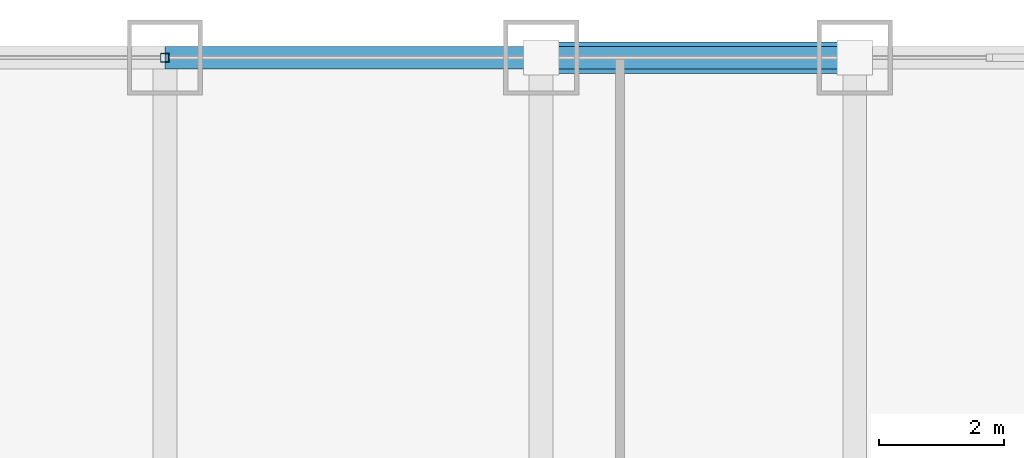
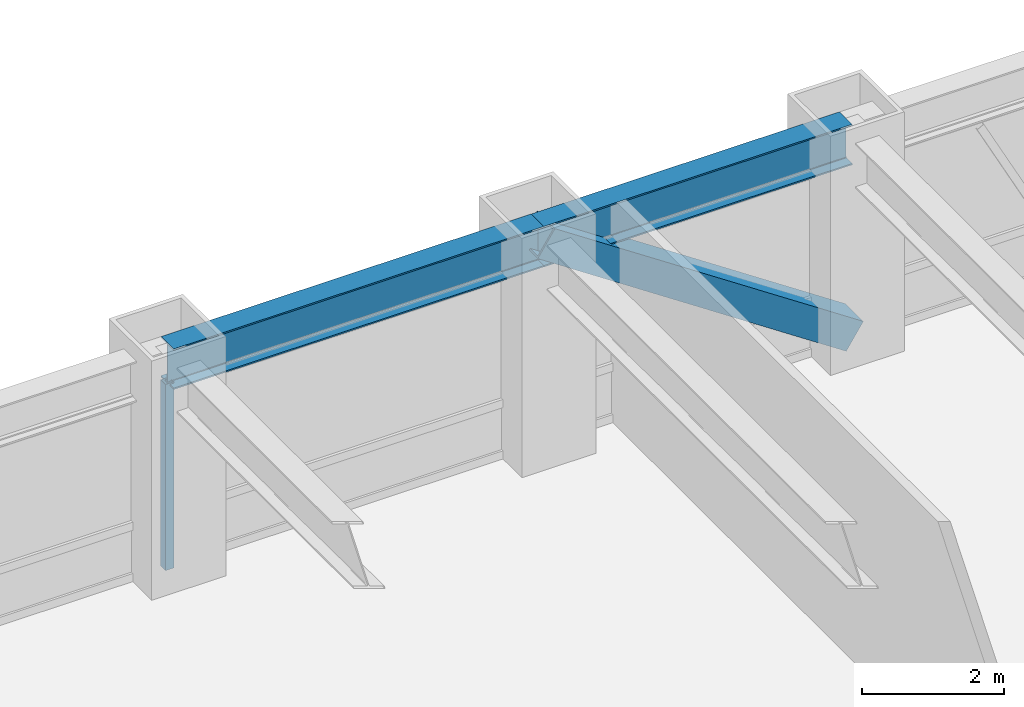
# One storey, part 19 of 28: 2 beams, 2 members, 1 element without a shape of its own.
"""IFC4 building model written with IfcOpenShell, lengths in metres."""

from ifc_helpers import new_model, si_unit, direction, frame, origin, origin_2d, place, context, subcontext, project, spatial, hollow_rectangle, i_section, extrude, source, transform, mapped, material, material_profile, profile_set, type_object, element, aggregate, save


model = new_model("IFC4")

# Units and contexts
model_context = context("Model", 3, precision=1e-05, world=origin(), true_north=direction((0.0, 1.0)))
body_context = subcontext(model_context, "Body", "Model", "MODEL_VIEW")
ifc_project = project(units=[si_unit("LENGTHUNIT", "METRE"), si_unit("AREAUNIT", "SQUARE_METRE"), si_unit("VOLUMEUNIT", "CUBIC_METRE"), si_unit("PLANEANGLEUNIT", "RADIAN"), si_unit("MASSUNIT", "GRAM", prefix="KILO")], contexts=[model_context])

# Site, building, storey
site_placement = place(None, origin())
site = spatial("IfcSite", under=ifc_project, at=site_placement, CompositionType="ELEMENT")
building_placement = place(site_placement, origin())
building = spatial("IfcBuilding", under=site, at=building_placement, Name="Khorayat Bourse Tower", CompositionType="ELEMENT")
storey_placement = place(building_placement, frame((0.0, 0.0, 124.199951171875)))
storey = spatial("IfcBuildingStorey", under=building, at=storey_placement, Name="L28", CompositionType="ELEMENT", Elevation=124.199951171875)

# Beams
ifc_material_1 = material(Name="Steel ASTM A992 Grade 50", Category="steel")
ifc_material_profile_1 = material_profile(ifc_material_1, i_section(OverallWidth=0.35498046875, OverallDepth=0.695068359375, WebThickness=0.015380859375, FlangeThickness=0.02490234375, FilletRadius=0.01806640625, at=origin_2d()), Name="W690X217")
ifc_profile_set_1 = profile_set([ifc_material_profile_1], Name="Steel ASTM A992 Grade 50")
beam_type = type_object("IfcBeamType", Name="BM-SPAN-690", PredefinedType="SPANDREL", material=ifc_profile_set_1)
shared_shape_1 = source(origin(), body_context, "Body", "SweptSolid", [
    extrude(i_section(OverallWidth=0.35498046875, OverallDepth=0.695068359375, WebThickness=0.015380859375, FlangeThickness=0.02490234375, FilletRadius=0.01806640625, at=origin_2d()), origin(), (0.0, 0.0, 1.0), 5.0),
])
beam_1_placement = place(storey_placement, frame((6.0, 32.0, 3.492431640625), z_axis=(1.0, 0.0, 0.0), x_axis=(0.0, 1.0, 0.0)))
element("IfcBeam", 1, at=beam_1_placement, inside=storey, type_object=beam_type, Name="L28 BM-SPAN-690 BM-L28-SPN-046", PredefinedType="SPANDREL", context=body_context, shape_type="MappedRepresentation", body=[
    mapped(shared_shape_1, transform((0.0, 0.0, 0.0), scale=1.0)),
])
shared_shape_2 = source(origin(), body_context, "Body", "SweptSolid", [
    extrude(i_section(OverallWidth=0.35498046875, OverallDepth=0.695068359375, WebThickness=0.015380859375, FlangeThickness=0.02490234375, FilletRadius=0.01806640625, at=origin_2d()), origin(), (0.0, 0.0, 1.0), 6.0),
])
beam_2_placement = place(storey_placement, frame((0.0, 32.0, 3.492431640625), z_axis=(1.0, 0.0, 0.0), x_axis=(0.0, 1.0, 0.0)))
element("IfcBeam", 2, at=beam_2_placement, inside=storey, type_object=beam_type, Name="L28 BM-SPAN-690 BM-L28-SPN-047", PredefinedType="SPANDREL", context=body_context, shape_type="MappedRepresentation", body=[
    mapped(shared_shape_2, transform((0.0, 0.0, 0.0), scale=1.0)),
])

# Member
ifc_material_2 = material(Name="Steel EN 10025-4 S460M", Category="steel")
ifc_material_profile_2 = material_profile(ifc_material_2, hollow_rectangle(XDim=0.5, YDim=0.5, WallThickness=0.028076171875, at=origin_2d()), Name="HSS 500x500x28")
ifc_profile_set_2 = profile_set([ifc_material_profile_2], Name="Steel EN 10025-4 S460M")
member_type_1 = type_object("IfcMemberType", Name="MBR-TUBE-500", PredefinedType="BRACE", material=ifc_profile_set_2)
shared_shape_3 = source(origin(), body_context, "Body", "SweptSolid", [
    extrude(hollow_rectangle(XDim=0.5, YDim=0.5, WallThickness=0.028076171875, at=origin_2d()), origin(), (0.0, 0.0, 1.0), 6.012939453125),
])
member_1_placement = place(storey_placement, frame((6.0, 32.0, 3.590087890625), z_axis=(0.831531473026, 0.0, -0.555477640745), x_axis=(0.0, 1.0, 0.0)))
element("IfcMember", 3, at=member_1_placement, inside=storey, type_object=member_type_1, Name="L28 Perimeter Tube Brace 04", PredefinedType="BRACE", context=body_context, shape_type="MappedRepresentation", body=[
    mapped(shared_shape_3, transform((0.0, 0.0, 0.0), scale=1.0)),
])

# Curtain wall, member
ifc_material_3 = material(Name="Aluminium EN AW-6063 T6", Category="aluminium")
curtain_wall_type = type_object("IfcCurtainWallType", Name="CW-SYS-02", PredefinedType="NOTDEFINED", material=ifc_material_3)
curtain_wall_placement = place(storey_placement, origin())
curtain_wall = element("IfcCurtainWall", 4, at=curtain_wall_placement, inside=storey, type_object=curtain_wall_type, Name="L28 Curtain Wall CW-L28-N1", PredefinedType="NOTDEFINED")
ifc_material_profile_3 = material_profile(ifc_material_3, hollow_rectangle(XDim=0.139892578125, YDim=0.139892578125, WallThickness=0.006103515625, at=origin_2d()), Name="ALU 140x140x6")
ifc_profile_set_3 = profile_set([ifc_material_profile_3], Name="Aluminium EN AW-6063 T6")
member_type_2 = type_object("IfcMemberType", Name="CWM-VERT-140", PredefinedType="MULLION", material=ifc_profile_set_3)
shared_shape_4 = source(origin(), body_context, "Body", "SweptSolid", [
    extrude(hollow_rectangle(XDim=0.139892578125, YDim=0.139892578125, WallThickness=0.006103515625, at=origin_2d()), origin(), (0.0, 0.0, 1.0), 3.18994140625),
])
member_2_placement = place(storey_placement, frame((0.0, 32.0, 0.0), z_axis=(0.0, 0.0, 1.0), x_axis=(0.0, 1.0, 0.0)))
member_2 = element("IfcMember", 5, at=member_2_placement, type_object=member_type_2, Name="CW-L28-N1 Vertical Mullion 2", PredefinedType="MULLION", context=body_context, shape_type="MappedRepresentation", body=[
    mapped(shared_shape_4, transform((0.0, 0.0, 0.0), scale=1.0)),
])
aggregate(curtain_wall, [member_2])

save(model, "model.ifc")
